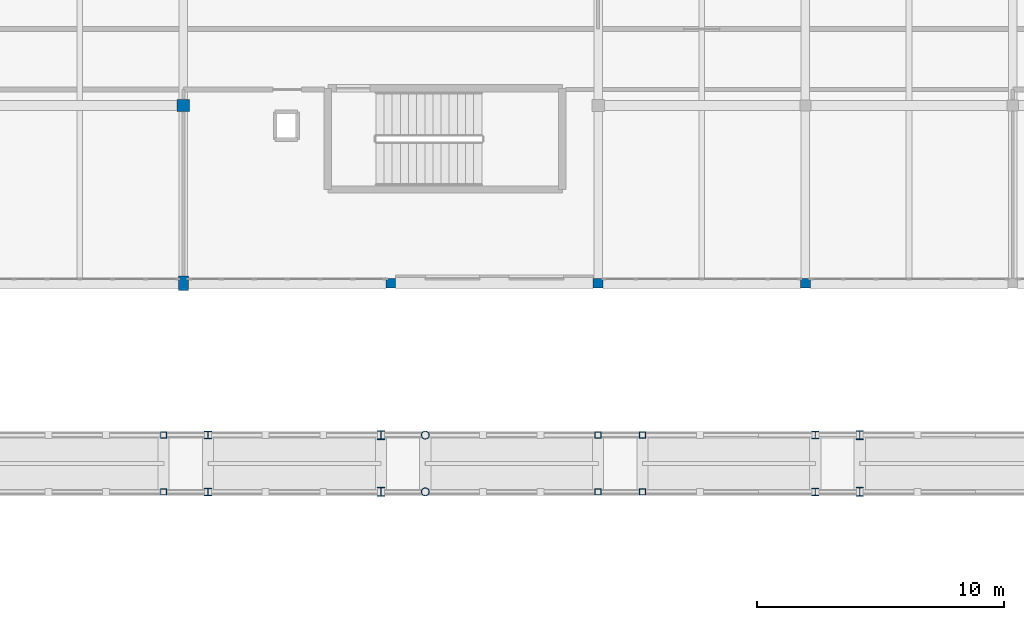
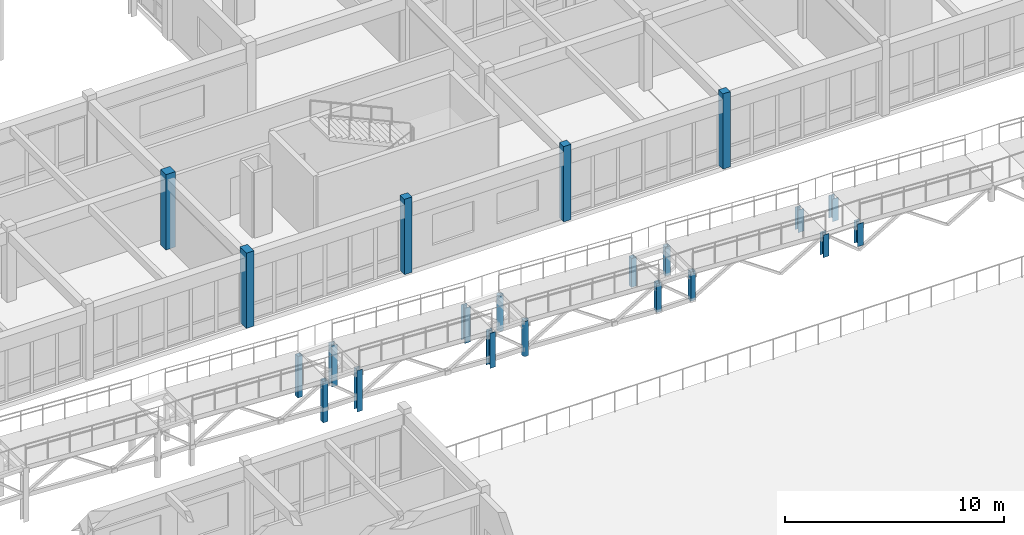
# One storey, part 12 of 89: 21 columns.
"""IFC4 building model written with IfcOpenShell, lengths in metres."""

from ifc_helpers import new_model, si_unit, direction, frame, origin, origin_2d, place, context, subcontext, project, spatial, rectangle, hollow_rectangle, hollow_circle, i_section, extrude, material, material_profile, profile_set, type_object, element, save


model = new_model("IFC4")

# Units and contexts
model_context = context("Model", 3, precision=1e-05, world=origin(), true_north=direction((0.0, 1.0)))
body_context = subcontext(model_context, "Body", "Model", "MODEL_VIEW")
ifc_project = project(units=[si_unit("LENGTHUNIT", "METRE"), si_unit("AREAUNIT", "SQUARE_METRE"), si_unit("VOLUMEUNIT", "CUBIC_METRE"), si_unit("PLANEANGLEUNIT", "RADIAN"), si_unit("MASSUNIT", "GRAM", prefix="KILO")], contexts=[model_context])

# Site, building, storey
site_placement = place(None, origin())
site = spatial("IfcSite", under=ifc_project, at=site_placement, CompositionType="ELEMENT")
building_placement = place(site_placement, origin())
building = spatial("IfcBuilding", under=site, at=building_placement, Name="Malvenik Polytechnic", CompositionType="ELEMENT")
storey_placement = place(building_placement, frame((0.0, 0.0, 13.5)))
storey = spatial("IfcBuildingStorey", under=building, at=storey_placement, Name="L03", CompositionType="ELEMENT", Elevation=13.5)

# Columns
ifc_material_1 = material(Name="Concrete C35/45", Category="concrete")
ifc_material_profile_1 = material_profile(ifc_material_1, rectangle(XDim=0.5, YDim=0.5, at=origin_2d()), Name="RC COL 500x500")
ifc_profile_set_1 = profile_set([ifc_material_profile_1], Name="Concrete C35/45")
column_type_1 = type_object("IfcColumnType", Name="STR-COL-C-08", PredefinedType="COLUMN", material=ifc_profile_set_1)
column_1_placement = place(storey_placement, frame((67.199951171875, 86.39990234375, 0.0), z_axis=(0.0, 0.0, 1.0), x_axis=(1.0, 0.0, 0.0)))
element("IfcColumn", 1, at=column_1_placement, inside=storey, type_object=column_type_1, Name="Column C-08 L03 (67.2,86.4)", PredefinedType="COLUMN", context=body_context, shape_type="SweptSolid", body=[
    extrude(rectangle(XDim=0.5, YDim=0.5, at=origin_2d()), origin(), (0.0, 0.0, 1.0), 4.199951171875),
])
ifc_material_2 = material(Name="Concrete C30/37", Category="concrete")
ifc_material_profile_2 = material_profile(ifc_material_2, rectangle(XDim=0.39990234375, YDim=0.39990234375, at=origin_2d()), Name="RC COL 400x400")
ifc_profile_set_2 = profile_set([ifc_material_profile_2], Name="Concrete C30/37")
column_type_2 = type_object("IfcColumnType", Name="STR-COL-C-10", PredefinedType="COLUMN", material=ifc_profile_set_2)
for number, where, z_axis, x_axis, name in (
    (2, (75.60009765625, 79.199951171875, 0.0), (0.0, 0.0, 1.0), (1.0, 0.0, 0.0), "Column C-10 L03 (75.6,79.2)"),
    (3, (84.0, 79.199951171875, 0.0), (0.0, 0.0, 1.0), (1.0, 0.0, 0.0), "Column C-10 L03 (84.0,79.2)"),
    (4, (92.39990234375, 79.199951171875, 0.0), (0.0, 0.0, 1.0), (1.0, 0.0, 0.0), "Column C-10 L03 (92.4,79.2)"),
):
    element("IfcColumn", number, at=place(storey_placement, frame(where, z_axis=z_axis, x_axis=x_axis)), inside=storey, type_object=column_type_2, Name=name, PredefinedType="COLUMN", context=body_context, shape_type="SweptSolid", body=[
        extrude(rectangle(XDim=0.39990234375, YDim=0.39990234375, at=origin_2d()), origin(), (0.0, 0.0, 1.0), 4.199951171875),
    ])
ifc_material_profile_3 = material_profile(ifc_material_1, rectangle(XDim=0.39990234375, YDim=0.60009765625, at=origin_2d()), Name="RC COL 600x400")
ifc_profile_set_3 = profile_set([ifc_material_profile_3], Name="Concrete C35/45")
column_type_3 = type_object("IfcColumnType", Name="STR-COL-C-15", PredefinedType="COLUMN", material=ifc_profile_set_3)
column_2_placement = place(storey_placement, frame((67.199951171875, 79.199951171875, 0.0), z_axis=(0.0, 0.0, 1.0), x_axis=(1.0, 0.0, 0.0)))
element("IfcColumn", 5, at=column_2_placement, inside=storey, type_object=column_type_3, Name="Column C-15 L03 (67.2,79.2)", PredefinedType="COLUMN", context=body_context, shape_type="SweptSolid", body=[
    extrude(rectangle(XDim=0.39990234375, YDim=0.60009765625, at=origin_2d()), origin(), (0.0, 0.0, 1.0), 4.199951171875),
])
ifc_material_3 = material(Name="Steel S355J2H", Category="steel")
ifc_material_profile_4 = material_profile(ifc_material_3, hollow_rectangle(XDim=0.25, YDim=0.25, WallThickness=0.010009765625, at=origin_2d()), Name="SHS 250x250x10.0")
ifc_profile_set_4 = profile_set([ifc_material_profile_4], Name="Steel S355J2H")
column_type_4 = type_object("IfcColumnType", Name="STR-SCOL-SC-01", PredefinedType="COLUMN", material=ifc_profile_set_4)
for number, where, z_axis, x_axis, name in (
    (6, (85.800048828125, 70.75, 0.0), (0.0, 0.0, 1.0), (1.0, 0.0, 0.0), "Bridge-Ramp Support Column SC-01 L03"),
    (7, (85.800048828125, 73.050048828125, 0.0), (0.0, 0.0, 1.0), (1.0, 0.0, 0.0), "Bridge-Ramp Support Column SC-01 L03"),
    (8, (84.0, 70.75, 0.0), (0.0, 0.0, 1.0), (1.0, 0.0, 0.0), "Bridge-Ramp Support Column SC-01 L03"),
    (9, (84.0, 73.050048828125, 0.0), (0.0, 0.0, 1.0), (1.0, 0.0, 0.0), "Bridge-Ramp Support Column SC-01 L03"),
):
    element("IfcColumn", number, at=place(storey_placement, frame(where, z_axis=z_axis, x_axis=x_axis)), inside=storey, type_object=column_type_4, Name=name, PredefinedType="COLUMN", context=body_context, shape_type="SweptSolid", body=[
        extrude(hollow_rectangle(XDim=0.25, YDim=0.25, WallThickness=0.010009765625, at=origin_2d()), origin(), (0.0, 0.0, 1.0), 1.610107421875),
    ])
for number, where, z_axis, x_axis, name in (
    (10, (66.39990234375, 70.75, 0.0), (0.0, 0.0, 1.0), (1.0, 0.0, 0.0), "Bridge-Ramp Support Column SC-01 L03"),
    (11, (66.39990234375, 73.050048828125, 0.0), (0.0, 0.0, 1.0), (1.0, 0.0, 0.0), "Bridge-Ramp Support Column SC-01 L03"),
):
    element("IfcColumn", number, at=place(storey_placement, frame(where, z_axis=z_axis, x_axis=x_axis)), inside=storey, type_object=column_type_4, Name=name, PredefinedType="COLUMN", context=body_context, shape_type="SweptSolid", body=[
        extrude(hollow_rectangle(XDim=0.25, YDim=0.25, WallThickness=0.010009765625, at=origin_2d()), origin(), (0.0, 0.0, 1.0), 2.31005859375),
    ])
ifc_material_4 = material(Name="Steel S355", Category="steel")
ifc_material_profile_5 = material_profile(ifc_material_4, i_section(OverallWidth=0.300048828125, OverallDepth=0.360107421875, WebThickness=0.012451171875, FlangeThickness=0.0224609375, FilletRadius=0.027099609375, at=origin_2d()), Name="HEB 360")
ifc_profile_set_5 = profile_set([ifc_material_profile_5], Name="Steel S355")
column_type_5 = type_object("IfcColumnType", Name="STR-SCOL-SC-03", PredefinedType="COLUMN", material=ifc_profile_set_5)
for number, where, z_axis, x_axis, name in (
    (12, (94.60009765625, 70.75, 0.0), (0.0, 0.0, 1.0), (1.0, 0.0, 0.0), "Bridge-Ramp Support Column SC-03 L03"),
    (13, (94.60009765625, 73.050048828125, 0.0), (0.0, 0.0, 1.0), (1.0, 0.0, 0.0), "Bridge-Ramp Support Column SC-03 L03"),
):
    element("IfcColumn", number, at=place(storey_placement, frame(where, z_axis=z_axis, x_axis=x_axis)), inside=storey, type_object=column_type_5, Name=name, PredefinedType="COLUMN", context=body_context, shape_type="SweptSolid", body=[
        extrude(i_section(OverallWidth=0.300048828125, OverallDepth=0.360107421875, WebThickness=0.012451171875, FlangeThickness=0.0224609375, FilletRadius=0.027099609375, at=origin_2d()), origin(), (0.0, 0.0, 1.0), 1.260009765625),
    ])
for number, where, z_axis, x_axis, name in (
    (14, (75.199951171875, 70.75, 0.0), (0.0, 0.0, 1.0), (1.0, 0.0, 0.0), "Bridge-Ramp Support Column SC-03 L03"),
    (15, (75.199951171875, 73.050048828125, 0.0), (0.0, 0.0, 1.0), (1.0, 0.0, 0.0), "Bridge-Ramp Support Column SC-03 L03"),
):
    element("IfcColumn", number, at=place(storey_placement, frame(where, z_axis=z_axis, x_axis=x_axis)), inside=storey, type_object=column_type_5, Name=name, PredefinedType="COLUMN", context=body_context, shape_type="SweptSolid", body=[
        extrude(i_section(OverallWidth=0.300048828125, OverallDepth=0.360107421875, WebThickness=0.012451171875, FlangeThickness=0.0224609375, FilletRadius=0.027099609375, at=origin_2d()), origin(), (0.0, 0.0, 1.0), 1.9599609375),
    ])
ifc_material_profile_6 = material_profile(ifc_material_3, hollow_circle(Radius=0.161865234375, WallThickness=0.012451171875, at=origin_2d()), Name="CHS 323.9x12.5")
ifc_profile_set_6 = profile_set([ifc_material_profile_6], Name="Steel S355J2H")
column_type_6 = type_object("IfcColumnType", Name="STR-SCOL-SC-04", PredefinedType="COLUMN", material=ifc_profile_set_6)
for number, where, z_axis, x_axis, name in (
    (16, (77.0, 70.75, 0.0), (0.0, 0.0, 1.0), (1.0, 0.0, 0.0), "Bridge-Ramp Support Column SC-04 L03"),
    (17, (77.0, 73.050048828125, 0.0), (0.0, 0.0, 1.0), (1.0, 0.0, 0.0), "Bridge-Ramp Support Column SC-04 L03"),
):
    element("IfcColumn", number, at=place(storey_placement, frame(where, z_axis=z_axis, x_axis=x_axis)), inside=storey, type_object=column_type_6, Name=name, PredefinedType="COLUMN", context=body_context, shape_type="SweptSolid", body=[
        extrude(hollow_circle(Radius=0.161865234375, WallThickness=0.012451171875, at=origin_2d()), origin(), (0.0, 0.0, 1.0), 1.9599609375),
    ])
ifc_material_profile_7 = material_profile(ifc_material_4, i_section(OverallWidth=0.300048828125, OverallDepth=0.300048828125, WebThickness=0.010986328125, FlangeThickness=0.01904296875, FilletRadius=0.027099609375, at=origin_2d()), Name="HEB 300")
ifc_profile_set_7 = profile_set([ifc_material_profile_7], Name="Steel S355")
column_type_7 = type_object("IfcColumnType", Name="STR-SCOL-SC-05", PredefinedType="COLUMN", material=ifc_profile_set_7)
for number, where, z_axis, x_axis, name in (
    (18, (92.800048828125, 70.75, 0.0), (0.0, 0.0, 1.0), (1.0, 0.0, 0.0), "Bridge-Ramp Support Column SC-05 L03"),
    (19, (92.800048828125, 73.050048828125, 0.0), (0.0, 0.0, 1.0), (1.0, 0.0, 0.0), "Bridge-Ramp Support Column SC-05 L03"),
):
    element("IfcColumn", number, at=place(storey_placement, frame(where, z_axis=z_axis, x_axis=x_axis)), inside=storey, type_object=column_type_7, Name=name, PredefinedType="COLUMN", context=body_context, shape_type="SweptSolid", body=[
        extrude(i_section(OverallWidth=0.300048828125, OverallDepth=0.300048828125, WebThickness=0.010986328125, FlangeThickness=0.01904296875, FilletRadius=0.027099609375, at=origin_2d()), origin(), (0.0, 0.0, 1.0), 1.260009765625),
    ])
for number, where, z_axis, x_axis, name in (
    (20, (68.199951171875, 70.75, 0.0), (0.0, 0.0, 1.0), (1.0, 0.0, 0.0), "Bridge-Ramp Support Column SC-05 L03"),
    (21, (68.199951171875, 73.050048828125, 0.0), (0.0, 0.0, 1.0), (1.0, 0.0, 0.0), "Bridge-Ramp Support Column SC-05 L03"),
):
    element("IfcColumn", number, at=place(storey_placement, frame(where, z_axis=z_axis, x_axis=x_axis)), inside=storey, type_object=column_type_7, Name=name, PredefinedType="COLUMN", context=body_context, shape_type="SweptSolid", body=[
        extrude(i_section(OverallWidth=0.300048828125, OverallDepth=0.300048828125, WebThickness=0.010986328125, FlangeThickness=0.01904296875, FilletRadius=0.027099609375, at=origin_2d()), origin(), (0.0, 0.0, 1.0), 2.31005859375),
    ])

save(model, "model.ifc")
